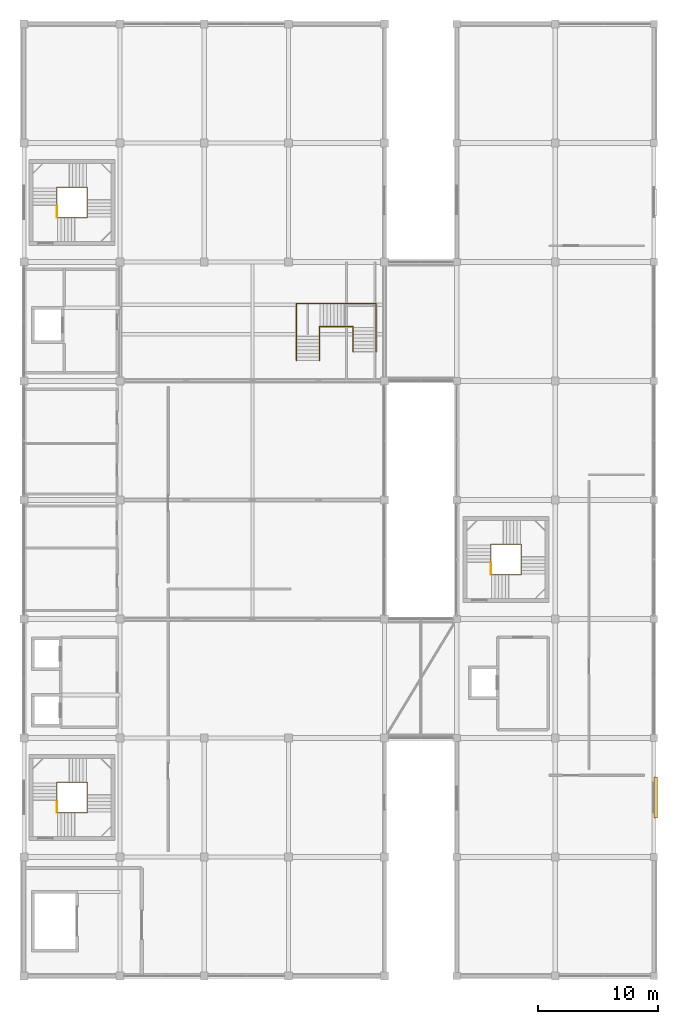
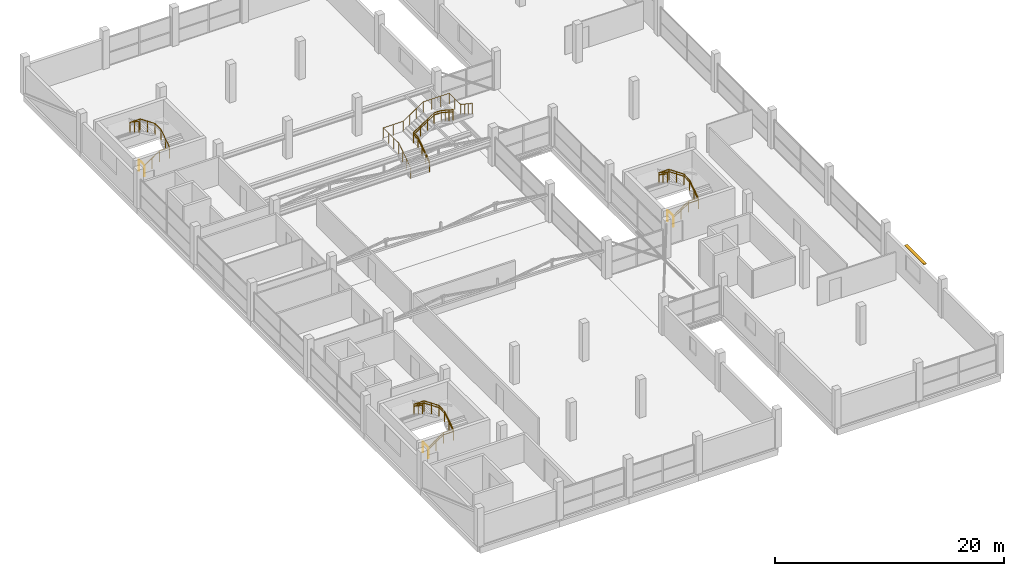
# One storey, part 69 of 70: 11 railings, 1 shading device.
"""IFC4 building model written with IfcOpenShell, lengths in metres."""

from ifc_helpers import new_model, si_unit, direction, frame, origin, origin_2d, place, context, subcontext, project, spatial, rectangle, circle, extrude, material, type_object, element, save


model = new_model("IFC4")

# Units and contexts
model_context = context("Model", 3, precision=1e-05, world=origin(), true_north=direction((0.0, 1.0)))
body_context = subcontext(model_context, "Body", "Model", "MODEL_VIEW")
ifc_project = project(units=[si_unit("LENGTHUNIT", "METRE"), si_unit("AREAUNIT", "SQUARE_METRE"), si_unit("VOLUMEUNIT", "CUBIC_METRE"), si_unit("PLANEANGLEUNIT", "RADIAN"), si_unit("MASSUNIT", "GRAM", prefix="KILO")], contexts=[model_context])

# Site, building, storey
site_placement = place(None, origin())
site = spatial("IfcSite", under=ifc_project, at=site_placement, CompositionType="ELEMENT")
building_placement = place(site_placement, origin())
building = spatial("IfcBuilding", under=site, at=building_placement, Name="Sillaruma Civic Art Gallery", CompositionType="ELEMENT")
storey_placement = place(building_placement, frame((0.0, 0.0, 66.300048828125)))
storey = spatial("IfcBuildingStorey", under=building, at=storey_placement, Name="L13", CompositionType="ELEMENT", Elevation=66.300048828125)

# Railings
ifc_material_1 = material(Name="Stainless Steel AISI 316", Category="steel")
railing_type_1 = type_object("IfcRailingType", Name="RAL-BAL-1150", PredefinedType="BALUSTRADE", material=ifc_material_1)
railing_1_placement = place(storey_placement, frame((64.739990234375, 82.889892578125, 0.0)))
element("IfcRailing", 1, at=railing_1_placement, inside=storey, type_object=railing_type_1, Name="Stair Floor Edge Guard (ST-02:L13)", PredefinedType="BALUSTRADE", context=body_context, shape_type="SweptSolid", body=[
    extrude(circle(Radius=0.02392578125, at=origin_2d()), frame((0.0, 0.0, 1.1259765625), z_axis=(0.0, 1.0, 0.0), x_axis=(-1.0, 0.0, 0.0)), (0.0, 0.0, 1.0), 0.97021484375),
    extrude(circle(Radius=0.02099609375, at=origin_2d()), origin(), (0.0, 0.0, 1.0), 1.101806640625),
    extrude(circle(Radius=0.02099609375, at=origin_2d()), frame((0.0, 0.97021484375, 0.0)), (0.0, 0.0, 1.0), 1.101806640625),
])
railing_2_placement = place(storey_placement, frame((64.739990234375, 82.889892578125, 0.0)))
element("IfcRailing", 2, at=railing_2_placement, inside=storey, type_object=railing_type_1, Name="Stair Well Balustrade (ST-02-L13)", PredefinedType="BALUSTRADE", context=body_context, shape_type="SweptSolid", body=[
    extrude(circle(Radius=0.02392578125, at=origin_2d()), frame((0.0, 0.0, 1.1259765625), z_axis=(0.828654473869, 0.0, 0.559760451387), x_axis=(0.0, 1.0, 0.0)), (0.0, 0.0, 1.0), 1.822265625),
    extrude(circle(Radius=0.02392578125, at=origin_2d()), frame((1.510009765625, 0.0, 2.14599609375), z_axis=(1.0, 0.0, 0.0), x_axis=(0.0, 1.0, 0.0)), (0.0, 0.0, 1.0), 1.010009765625),
    extrude(circle(Radius=0.02392578125, at=origin_2d()), frame((2.52001953125, 0.0, 2.14599609375), z_axis=(0.0, 0.828654473869, 0.559760451387), x_axis=(-1.0, 0.0, 0.0)), (0.0, 0.0, 1.0), 1.822265625),
    extrude(circle(Radius=0.02392578125, at=origin_2d()), frame((2.52001953125, 1.510009765625, 3.166015625), z_axis=(0.0, 1.0, 0.0), x_axis=(-1.0, 0.0, 0.0)), (0.0, 0.0, 1.0), 1.010009765625),
    extrude(circle(Radius=0.02392578125, at=origin_2d()), frame((2.52001953125, 2.52001953125, 3.166015625), z_axis=(-0.828654473869, 0.0, 0.559760451387), x_axis=(0.0, -1.0, 0.0)), (0.0, 0.0, 1.0), 1.822265625),
    extrude(circle(Radius=0.02392578125, at=origin_2d()), frame((1.010009765625, 2.52001953125, 4.18603515625), z_axis=(-1.0, 0.0, 0.0), x_axis=(0.0, -1.0, 0.0)), (0.0, 0.0, 1.0), 1.010009765625),
    extrude(circle(Radius=0.02392578125, at=origin_2d()), frame((0.0, 2.52001953125, 4.18603515625), z_axis=(0.0, -0.828716618891, 0.559668442539), x_axis=(1.0, 0.0, 0.0)), (0.0, 0.0, 1.0), 1.822021484375),
    extrude(circle(Radius=0.02099609375, at=origin_2d()), origin(), (0.0, 0.0, 1.0), 1.101806640625),
    extrude(circle(Radius=0.02099609375, at=origin_2d()), frame((0.7548828125, 0.0, 0.510009765625)), (0.0, 0.0, 1.0), 1.101806640625),
    extrude(circle(Radius=0.02099609375, at=origin_2d()), frame((1.510009765625, 0.0, 1.02001953125)), (0.0, 0.0, 1.0), 1.101806640625),
    extrude(circle(Radius=0.02099609375, at=origin_2d()), frame((2.52001953125, 0.0, 1.02001953125)), (0.0, 0.0, 1.0), 1.101806640625),
    extrude(circle(Radius=0.02099609375, at=origin_2d()), frame((2.52001953125, 0.7548828125, 1.530029296875)), (0.0, 0.0, 1.0), 1.101806640625),
    extrude(circle(Radius=0.02099609375, at=origin_2d()), frame((2.52001953125, 1.510009765625, 2.0400390625)), (0.0, 0.0, 1.0), 1.101806640625),
    extrude(circle(Radius=0.02099609375, at=origin_2d()), frame((2.52001953125, 2.52001953125, 2.0400390625)), (0.0, 0.0, 1.0), 1.101806640625),
    extrude(circle(Radius=0.02099609375, at=origin_2d()), frame((1.76513671875, 2.52001953125, 2.550048828125)), (0.0, 0.0, 1.0), 1.101806640625),
    extrude(circle(Radius=0.02099609375, at=origin_2d()), frame((1.010009765625, 2.52001953125, 3.06005859375)), (0.0, 0.0, 1.0), 1.101806640625),
    extrude(circle(Radius=0.02099609375, at=origin_2d()), frame((0.0, 2.52001953125, 3.06005859375)), (0.0, 0.0, 1.0), 1.101806640625),
    extrude(circle(Radius=0.02099609375, at=origin_2d()), frame((0.0, 1.76513671875, 3.56982421875)), (0.0, 0.0, 1.0), 1.101806640625),
    extrude(circle(Radius=0.02099609375, at=origin_2d()), frame((0.0, 1.010009765625, 4.079833984375)), (0.0, 0.0, 1.0), 1.101806640625),
])
railing_3_placement = place(storey_placement, frame((64.739990234375, 33.389892578125, 0.0)))
element("IfcRailing", 3, at=railing_3_placement, inside=storey, type_object=railing_type_1, Name="Stair Floor Edge Guard (ST-03:L13)", PredefinedType="BALUSTRADE", context=body_context, shape_type="SweptSolid", body=[
    extrude(circle(Radius=0.02392578125, at=origin_2d()), frame((0.0, 0.0, 1.1259765625), z_axis=(0.0, 1.0, 0.0), x_axis=(-1.0, 0.0, 0.0)), (0.0, 0.0, 1.0), 0.97021484375),
    extrude(circle(Radius=0.02099609375, at=origin_2d()), origin(), (0.0, 0.0, 1.0), 1.101806640625),
    extrude(circle(Radius=0.02099609375, at=origin_2d()), frame((0.0, 0.97021484375, 0.0)), (0.0, 0.0, 1.0), 1.101806640625),
])
railing_4_placement = place(storey_placement, frame((64.739990234375, 33.389892578125, 0.0)))
element("IfcRailing", 4, at=railing_4_placement, inside=storey, type_object=railing_type_1, Name="Stair Well Balustrade (ST-03-L13)", PredefinedType="BALUSTRADE", context=body_context, shape_type="SweptSolid", body=[
    extrude(circle(Radius=0.02392578125, at=origin_2d()), frame((0.0, 0.0, 1.1259765625), z_axis=(0.828654473869, 0.0, 0.559760451387), x_axis=(0.0, 1.0, 0.0)), (0.0, 0.0, 1.0), 1.822265625),
    extrude(circle(Radius=0.02392578125, at=origin_2d()), frame((1.510009765625, 0.0, 2.14599609375), z_axis=(1.0, 0.0, 0.0), x_axis=(0.0, 1.0, 0.0)), (0.0, 0.0, 1.0), 1.010009765625),
    extrude(circle(Radius=0.02392578125, at=origin_2d()), frame((2.52001953125, 0.0, 2.14599609375), z_axis=(0.0, 0.828654473869, 0.559760451387), x_axis=(-1.0, 0.0, 0.0)), (0.0, 0.0, 1.0), 1.822265625),
    extrude(circle(Radius=0.02392578125, at=origin_2d()), frame((2.52001953125, 1.510009765625, 3.166015625), z_axis=(0.0, 1.0, 0.0), x_axis=(-1.0, 0.0, 0.0)), (0.0, 0.0, 1.0), 1.010009765625),
    extrude(circle(Radius=0.02392578125, at=origin_2d()), frame((2.52001953125, 2.52001953125, 3.166015625), z_axis=(-0.828654473869, 0.0, 0.559760451387), x_axis=(0.0, -1.0, 0.0)), (0.0, 0.0, 1.0), 1.822265625),
    extrude(circle(Radius=0.02392578125, at=origin_2d()), frame((1.010009765625, 2.52001953125, 4.18603515625), z_axis=(-1.0, 0.0, 0.0), x_axis=(0.0, -1.0, 0.0)), (0.0, 0.0, 1.0), 1.010009765625),
    extrude(circle(Radius=0.02392578125, at=origin_2d()), frame((0.0, 2.52001953125, 4.18603515625), z_axis=(0.0, -0.828716618891, 0.559668442539), x_axis=(1.0, 0.0, 0.0)), (0.0, 0.0, 1.0), 1.822021484375),
    extrude(circle(Radius=0.02099609375, at=origin_2d()), origin(), (0.0, 0.0, 1.0), 1.101806640625),
    extrude(circle(Radius=0.02099609375, at=origin_2d()), frame((0.7548828125, 0.0, 0.510009765625)), (0.0, 0.0, 1.0), 1.101806640625),
    extrude(circle(Radius=0.02099609375, at=origin_2d()), frame((1.510009765625, 0.0, 1.02001953125)), (0.0, 0.0, 1.0), 1.101806640625),
    extrude(circle(Radius=0.02099609375, at=origin_2d()), frame((2.52001953125, 0.0, 1.02001953125)), (0.0, 0.0, 1.0), 1.101806640625),
    extrude(circle(Radius=0.02099609375, at=origin_2d()), frame((2.52001953125, 0.7548828125, 1.530029296875)), (0.0, 0.0, 1.0), 1.101806640625),
    extrude(circle(Radius=0.02099609375, at=origin_2d()), frame((2.52001953125, 1.510009765625, 2.0400390625)), (0.0, 0.0, 1.0), 1.101806640625),
    extrude(circle(Radius=0.02099609375, at=origin_2d()), frame((2.52001953125, 2.52001953125, 2.0400390625)), (0.0, 0.0, 1.0), 1.101806640625),
    extrude(circle(Radius=0.02099609375, at=origin_2d()), frame((1.76513671875, 2.52001953125, 2.550048828125)), (0.0, 0.0, 1.0), 1.101806640625),
    extrude(circle(Radius=0.02099609375, at=origin_2d()), frame((1.010009765625, 2.52001953125, 3.06005859375)), (0.0, 0.0, 1.0), 1.101806640625),
    extrude(circle(Radius=0.02099609375, at=origin_2d()), frame((0.0, 2.52001953125, 3.06005859375)), (0.0, 0.0, 1.0), 1.101806640625),
    extrude(circle(Radius=0.02099609375, at=origin_2d()), frame((0.0, 1.76513671875, 3.56982421875)), (0.0, 0.0, 1.0), 1.101806640625),
    extrude(circle(Radius=0.02099609375, at=origin_2d()), frame((0.0, 1.010009765625, 4.079833984375)), (0.0, 0.0, 1.0), 1.101806640625),
])
railing_5_placement = place(storey_placement, frame((100.840087890625, 53.18994140625, 0.0)))
element("IfcRailing", 5, at=railing_5_placement, inside=storey, type_object=railing_type_1, Name="Stair Floor Edge Guard (ST-04:L13)", PredefinedType="BALUSTRADE", context=body_context, shape_type="SweptSolid", body=[
    extrude(circle(Radius=0.02392578125, at=origin_2d()), frame((0.0, 0.0, 1.1259765625), z_axis=(0.0, 1.0, 0.0), x_axis=(-1.0, 0.0, 0.0)), (0.0, 0.0, 1.0), 0.969970703125),
    extrude(circle(Radius=0.02099609375, at=origin_2d()), origin(), (0.0, 0.0, 1.0), 1.101806640625),
    extrude(circle(Radius=0.02099609375, at=origin_2d()), frame((0.0, 0.969970703125, 0.0)), (0.0, 0.0, 1.0), 1.101806640625),
])
railing_6_placement = place(storey_placement, frame((100.840087890625, 53.18994140625, 0.0)))
element("IfcRailing", 6, at=railing_6_placement, inside=storey, type_object=railing_type_1, Name="Stair Well Balustrade (ST-04-L13)", PredefinedType="BALUSTRADE", context=body_context, shape_type="SweptSolid", body=[
    extrude(circle(Radius=0.02392578125, at=origin_2d()), frame((0.0, 0.0, 1.1259765625), z_axis=(0.828654473869, 0.0, 0.559760451387), x_axis=(0.0, 1.0, 0.0)), (0.0, 0.0, 1.0), 1.822265625),
    extrude(circle(Radius=0.02392578125, at=origin_2d()), frame((1.510009765625, 0.0, 2.14599609375), z_axis=(1.0, 0.0, 0.0), x_axis=(0.0, 1.0, 0.0)), (0.0, 0.0, 1.0), 1.010009765625),
    extrude(circle(Radius=0.02392578125, at=origin_2d()), frame((2.52001953125, 0.0, 2.14599609375), z_axis=(0.0, 0.828654473869, 0.559760451387), x_axis=(-1.0, 0.0, 0.0)), (0.0, 0.0, 1.0), 1.822265625),
    extrude(circle(Radius=0.02392578125, at=origin_2d()), frame((2.52001953125, 1.510009765625, 3.166015625), z_axis=(0.0, 1.0, 0.0), x_axis=(-1.0, 0.0, 0.0)), (0.0, 0.0, 1.0), 1.010009765625),
    extrude(circle(Radius=0.02392578125, at=origin_2d()), frame((2.52001953125, 2.52001953125, 3.166015625), z_axis=(-0.828654473869, 0.0, 0.559760451387), x_axis=(0.0, -1.0, 0.0)), (0.0, 0.0, 1.0), 1.822265625),
    extrude(circle(Radius=0.02392578125, at=origin_2d()), frame((1.010009765625, 2.52001953125, 4.18603515625), z_axis=(-1.0, 0.0, 0.0), x_axis=(0.0, -1.0, 0.0)), (0.0, 0.0, 1.0), 1.010009765625),
    extrude(circle(Radius=0.02392578125, at=origin_2d()), frame((0.0, 2.52001953125, 4.18603515625), z_axis=(0.0, -0.828716618891, 0.559668442539), x_axis=(1.0, 0.0, 0.0)), (0.0, 0.0, 1.0), 1.822021484375),
    extrude(circle(Radius=0.02099609375, at=origin_2d()), origin(), (0.0, 0.0, 1.0), 1.101806640625),
    extrude(circle(Radius=0.02099609375, at=origin_2d()), frame((0.7548828125, 0.0, 0.510009765625)), (0.0, 0.0, 1.0), 1.101806640625),
    extrude(circle(Radius=0.02099609375, at=origin_2d()), frame((1.510009765625, 0.0, 1.02001953125)), (0.0, 0.0, 1.0), 1.101806640625),
    extrude(circle(Radius=0.02099609375, at=origin_2d()), frame((2.52001953125, 0.0, 1.02001953125)), (0.0, 0.0, 1.0), 1.101806640625),
    extrude(circle(Radius=0.02099609375, at=origin_2d()), frame((2.52001953125, 0.7548828125, 1.530029296875)), (0.0, 0.0, 1.0), 1.101806640625),
    extrude(circle(Radius=0.02099609375, at=origin_2d()), frame((2.52001953125, 1.510009765625, 2.0400390625)), (0.0, 0.0, 1.0), 1.101806640625),
    extrude(circle(Radius=0.02099609375, at=origin_2d()), frame((2.52001953125, 2.52001953125, 2.0400390625)), (0.0, 0.0, 1.0), 1.101806640625),
    extrude(circle(Radius=0.02099609375, at=origin_2d()), frame((1.76513671875, 2.52001953125, 2.550048828125)), (0.0, 0.0, 1.0), 1.101806640625),
    extrude(circle(Radius=0.02099609375, at=origin_2d()), frame((1.010009765625, 2.52001953125, 3.06005859375)), (0.0, 0.0, 1.0), 1.101806640625),
    extrude(circle(Radius=0.02099609375, at=origin_2d()), frame((0.0, 2.52001953125, 3.06005859375)), (0.0, 0.0, 1.0), 1.101806640625),
    extrude(circle(Radius=0.02099609375, at=origin_2d()), frame((0.0, 1.76513671875, 3.56982421875)), (0.0, 0.0, 1.0), 1.101806640625),
    extrude(circle(Radius=0.02099609375, at=origin_2d()), frame((0.0, 1.010009765625, 4.079833984375)), (0.0, 0.0, 1.0), 1.101806640625),
])
railing_7_placement = place(storey_placement, frame((86.580078125, 71.0, 0.0)))
element("IfcRailing", 7, at=railing_7_placement, inside=storey, type_object=railing_type_1, Name="Feature Stair Inner Guard (ST-G08)", PredefinedType="BALUSTRADE", context=body_context, shape_type="SweptSolid", body=[
    extrude(circle(Radius=0.02392578125, at=origin_2d()), frame((0.0, 0.0, 1.1259765625), z_axis=(0.0, 0.830818489095, 0.556543473753), x_axis=(-1.0, 0.0, 0.0)), (0.0, 0.0, 1.0), 2.443359375),
    extrude(circle(Radius=0.02392578125, at=origin_2d()), frame((0.0, 2.030029296875, 2.48583984375), z_axis=(0.0, 1.0, 0.0), x_axis=(-1.0, 0.0, 0.0)), (0.0, 0.0, 1.0), 0.7900390625),
    extrude(circle(Radius=0.02392578125, at=origin_2d()), frame((0.0, 2.820068359375, 2.48583984375), z_axis=(0.838130295786, 0.0, 0.545470079185), x_axis=(0.0, 1.0, 0.0)), (0.0, 0.0, 1.0), 2.493408203125),
    extrude(circle(Radius=0.02392578125, at=origin_2d()), frame((2.08984375, 2.820068359375, 3.845703125), z_axis=(1.0, 0.0, 0.0), x_axis=(0.0, 1.0, 0.0)), (0.0, 0.0, 1.0), 0.7099609375),
    extrude(circle(Radius=0.02392578125, at=origin_2d()), frame((2.7998046875, 2.820068359375, 3.845703125), z_axis=(0.0, -0.838204181713, 0.545356534534), x_axis=(1.0, 0.0, 0.0)), (0.0, 0.0, 1.0), 2.49365234375),
    extrude(circle(Radius=0.02099609375, at=origin_2d()), origin(), (0.0, 0.0, 1.0), 1.101806640625),
    extrude(circle(Radius=0.02099609375, at=origin_2d()), frame((0.0, 0.6767578125, 0.453369140625)), (0.0, 0.0, 1.0), 1.101806640625),
    extrude(circle(Radius=0.02099609375, at=origin_2d()), frame((0.0, 1.353271484375, 0.906494140625)), (0.0, 0.0, 1.0), 1.101806640625),
    extrude(circle(Radius=0.02099609375, at=origin_2d()), frame((0.0, 2.030029296875, 1.35986328125)), (0.0, 0.0, 1.0), 1.101806640625),
    extrude(circle(Radius=0.02099609375, at=origin_2d()), frame((0.0, 2.820068359375, 1.35986328125)), (0.0, 0.0, 1.0), 1.101806640625),
    extrude(circle(Radius=0.02099609375, at=origin_2d()), frame((0.696533203125, 2.820068359375, 1.813232421875)), (0.0, 0.0, 1.0), 1.101806640625),
    extrude(circle(Radius=0.02099609375, at=origin_2d()), frame((1.393310546875, 2.820068359375, 2.2666015625)), (0.0, 0.0, 1.0), 1.101806640625),
    extrude(circle(Radius=0.02099609375, at=origin_2d()), frame((2.08984375, 2.820068359375, 2.719970703125)), (0.0, 0.0, 1.0), 1.101806640625),
    extrude(circle(Radius=0.02099609375, at=origin_2d()), frame((2.7998046875, 2.820068359375, 2.719970703125)), (0.0, 0.0, 1.0), 1.101806640625),
    extrude(circle(Radius=0.02099609375, at=origin_2d()), frame((2.7998046875, 2.123291015625, 3.17333984375)), (0.0, 0.0, 1.0), 1.101806640625),
    extrude(circle(Radius=0.02099609375, at=origin_2d()), frame((2.7998046875, 1.4267578125, 3.62646484375)), (0.0, 0.0, 1.0), 1.101806640625),
    extrude(circle(Radius=0.02099609375, at=origin_2d()), frame((2.7998046875, 0.72998046875, 4.079833984375)), (0.0, 0.0, 1.0), 1.101806640625),
])
railing_8_placement = place(storey_placement, frame((84.659912109375, 71.0, 0.0)))
element("IfcRailing", 8, at=railing_8_placement, inside=storey, type_object=railing_type_1, Name="Feature Stair Outer Guard (ST-G08)", PredefinedType="BALUSTRADE", context=body_context, shape_type="SweptSolid", body=[
    extrude(circle(Radius=0.02392578125, at=origin_2d()), frame((0.0, 0.0, 1.1259765625), z_axis=(0.0, 0.830818489095, 0.556543473753), x_axis=(-1.0, 0.0, 0.0)), (0.0, 0.0, 1.0), 2.443359375),
    extrude(circle(Radius=0.02392578125, at=origin_2d()), frame((0.0, 2.030029296875, 2.48583984375), z_axis=(0.0, 1.0, 0.0), x_axis=(-1.0, 0.0, 0.0)), (0.0, 0.0, 1.0), 2.7099609375),
    extrude(circle(Radius=0.02392578125, at=origin_2d()), frame((0.0, 4.739990234375, 2.48583984375), z_axis=(1.0, 0.0, 0.0), x_axis=(0.0, 1.0, 0.0)), (0.0, 0.0, 1.0), 1.97998046875),
    extrude(circle(Radius=0.02392578125, at=origin_2d()), frame((1.97998046875, 4.739990234375, 2.48583984375), z_axis=(0.830772288039, 0.0, 0.556612437362), x_axis=(0.0, 1.0, 0.0)), (0.0, 0.0, 1.0), 2.443603515625),
    extrude(circle(Radius=0.02392578125, at=origin_2d()), frame((4.010009765625, 4.739990234375, 3.845703125), z_axis=(1.0, 0.0, 0.0), x_axis=(0.0, 1.0, 0.0)), (0.0, 0.0, 1.0), 2.630126953125),
    extrude(circle(Radius=0.02392578125, at=origin_2d()), frame((6.64013671875, 4.739990234375, 3.845703125), z_axis=(0.0, -1.0, 0.0), x_axis=(1.0, 0.0, 0.0)), (0.0, 0.0, 1.0), 1.97998046875),
    extrude(circle(Radius=0.02392578125, at=origin_2d()), frame((6.64013671875, 2.760009765625, 3.845703125), z_axis=(0.0, -0.830818489095, 0.556543473753), x_axis=(1.0, 0.0, 0.0)), (0.0, 0.0, 1.0), 2.443359375),
    extrude(circle(Radius=0.02099609375, at=origin_2d()), origin(), (0.0, 0.0, 1.0), 1.101806640625),
    extrude(circle(Radius=0.02099609375, at=origin_2d()), frame((0.0, 0.6767578125, 0.453369140625)), (0.0, 0.0, 1.0), 1.101806640625),
    extrude(circle(Radius=0.02099609375, at=origin_2d()), frame((0.0, 1.353271484375, 0.906494140625)), (0.0, 0.0, 1.0), 1.101806640625),
    extrude(circle(Radius=0.02099609375, at=origin_2d()), frame((0.0, 2.030029296875, 1.35986328125)), (0.0, 0.0, 1.0), 1.101806640625),
    extrude(circle(Radius=0.02099609375, at=origin_2d()), frame((0.0, 2.933349609375, 1.35986328125)), (0.0, 0.0, 1.0), 1.101806640625),
    extrude(circle(Radius=0.02099609375, at=origin_2d()), frame((0.0, 3.836669921875, 1.35986328125)), (0.0, 0.0, 1.0), 1.101806640625),
    extrude(circle(Radius=0.02099609375, at=origin_2d()), frame((0.0, 4.739990234375, 1.35986328125)), (0.0, 0.0, 1.0), 1.101806640625),
    extrude(circle(Radius=0.02099609375, at=origin_2d()), frame((0.989990234375, 4.739990234375, 1.35986328125)), (0.0, 0.0, 1.0), 1.101806640625),
    extrude(circle(Radius=0.02099609375, at=origin_2d()), frame((1.97998046875, 4.739990234375, 1.35986328125)), (0.0, 0.0, 1.0), 1.101806640625),
    extrude(circle(Radius=0.02099609375, at=origin_2d()), frame((2.65673828125, 4.739990234375, 1.813232421875)), (0.0, 0.0, 1.0), 1.101806640625),
    extrude(circle(Radius=0.02099609375, at=origin_2d()), frame((3.333251953125, 4.739990234375, 2.2666015625)), (0.0, 0.0, 1.0), 1.101806640625),
    extrude(circle(Radius=0.02099609375, at=origin_2d()), frame((4.010009765625, 4.739990234375, 2.719970703125)), (0.0, 0.0, 1.0), 1.101806640625),
    extrude(circle(Radius=0.02099609375, at=origin_2d()), frame((4.88671875, 4.739990234375, 2.719970703125)), (0.0, 0.0, 1.0), 1.101806640625),
    extrude(circle(Radius=0.02099609375, at=origin_2d()), frame((5.763427734375, 4.739990234375, 2.719970703125)), (0.0, 0.0, 1.0), 1.101806640625),
    extrude(circle(Radius=0.02099609375, at=origin_2d()), frame((6.64013671875, 4.739990234375, 2.719970703125)), (0.0, 0.0, 1.0), 1.101806640625),
    extrude(circle(Radius=0.02099609375, at=origin_2d()), frame((6.64013671875, 3.75, 2.719970703125)), (0.0, 0.0, 1.0), 1.101806640625),
    extrude(circle(Radius=0.02099609375, at=origin_2d()), frame((6.64013671875, 2.760009765625, 2.719970703125)), (0.0, 0.0, 1.0), 1.101806640625),
    extrude(circle(Radius=0.02099609375, at=origin_2d()), frame((6.64013671875, 2.083251953125, 3.17333984375)), (0.0, 0.0, 1.0), 1.101806640625),
    extrude(circle(Radius=0.02099609375, at=origin_2d()), frame((6.64013671875, 1.40673828125, 3.62646484375)), (0.0, 0.0, 1.0), 1.101806640625),
    extrude(circle(Radius=0.02099609375, at=origin_2d()), frame((6.64013671875, 0.72998046875, 4.079833984375)), (0.0, 0.0, 1.0), 1.101806640625),
])
railing_type_2 = type_object("IfcRailingType", Name="RAL-HND-920", PredefinedType="HANDRAIL", material=ifc_material_1)
railing_9_placement = place(storey_placement, frame((64.739990234375, 33.389892578125, 0.0)))
element("IfcRailing", 9, at=railing_9_placement, inside=storey, type_object=railing_type_2, Name="Stair Continuous Handrail (ST-03-L13)", PredefinedType="HANDRAIL", context=body_context, shape_type="SweptSolid", body=[
    extrude(circle(Radius=0.02392578125, at=origin_2d()), frame((0.0, 0.0, 0.89599609375), z_axis=(0.828654473869, 0.0, 0.559760451387), x_axis=(0.0, 1.0, 0.0)), (0.0, 0.0, 1.0), 1.822265625),
    extrude(circle(Radius=0.02392578125, at=origin_2d()), frame((1.510009765625, 0.0, 1.916015625), z_axis=(1.0, 0.0, 0.0), x_axis=(0.0, 1.0, 0.0)), (0.0, 0.0, 1.0), 1.010009765625),
    extrude(circle(Radius=0.02392578125, at=origin_2d()), frame((2.52001953125, 0.0, 1.916015625), z_axis=(0.0, 0.828654473869, 0.559760451387), x_axis=(-1.0, 0.0, 0.0)), (0.0, 0.0, 1.0), 1.822265625),
    extrude(circle(Radius=0.02392578125, at=origin_2d()), frame((2.52001953125, 1.510009765625, 2.93603515625), z_axis=(0.0, 1.0, 0.0), x_axis=(-1.0, 0.0, 0.0)), (0.0, 0.0, 1.0), 1.010009765625),
    extrude(circle(Radius=0.02392578125, at=origin_2d()), frame((2.52001953125, 2.52001953125, 2.93603515625), z_axis=(-0.828654473869, 0.0, 0.559760451387), x_axis=(0.0, -1.0, 0.0)), (0.0, 0.0, 1.0), 1.822265625),
    extrude(circle(Radius=0.02392578125, at=origin_2d()), frame((1.010009765625, 2.52001953125, 3.9560546875), z_axis=(-1.0, 0.0, 0.0), x_axis=(0.0, -1.0, 0.0)), (0.0, 0.0, 1.0), 1.010009765625),
    extrude(circle(Radius=0.02392578125, at=origin_2d()), frame((0.0, 2.52001953125, 3.9560546875), z_axis=(0.0, -0.828716618891, 0.559668442539), x_axis=(1.0, 0.0, 0.0)), (0.0, 0.0, 1.0), 1.822021484375),
    extrude(circle(Radius=0.02099609375, at=origin_2d()), origin(), (0.0, 0.0, 1.0), 0.871826171875),
    extrude(circle(Radius=0.02099609375, at=origin_2d()), frame((0.7548828125, 0.0, 0.510009765625)), (0.0, 0.0, 1.0), 0.871826171875),
    extrude(circle(Radius=0.02099609375, at=origin_2d()), frame((1.510009765625, 0.0, 1.02001953125)), (0.0, 0.0, 1.0), 0.871826171875),
    extrude(circle(Radius=0.02099609375, at=origin_2d()), frame((2.52001953125, 0.0, 1.02001953125)), (0.0, 0.0, 1.0), 0.871826171875),
    extrude(circle(Radius=0.02099609375, at=origin_2d()), frame((2.52001953125, 0.7548828125, 1.530029296875)), (0.0, 0.0, 1.0), 0.871826171875),
    extrude(circle(Radius=0.02099609375, at=origin_2d()), frame((2.52001953125, 1.510009765625, 2.0400390625)), (0.0, 0.0, 1.0), 0.871826171875),
    extrude(circle(Radius=0.02099609375, at=origin_2d()), frame((2.52001953125, 2.52001953125, 2.0400390625)), (0.0, 0.0, 1.0), 0.871826171875),
    extrude(circle(Radius=0.02099609375, at=origin_2d()), frame((1.76513671875, 2.52001953125, 2.550048828125)), (0.0, 0.0, 1.0), 0.871826171875),
    extrude(circle(Radius=0.02099609375, at=origin_2d()), frame((1.010009765625, 2.52001953125, 3.06005859375)), (0.0, 0.0, 1.0), 0.871826171875),
    extrude(circle(Radius=0.02099609375, at=origin_2d()), frame((0.0, 2.52001953125, 3.06005859375)), (0.0, 0.0, 1.0), 0.871826171875),
    extrude(circle(Radius=0.02099609375, at=origin_2d()), frame((0.0, 1.76513671875, 3.56982421875)), (0.0, 0.0, 1.0), 0.871826171875),
    extrude(circle(Radius=0.02099609375, at=origin_2d()), frame((0.0, 1.010009765625, 4.079833984375)), (0.0, 0.0, 1.0), 0.871826171875),
])
railing_10_placement = place(storey_placement, frame((100.840087890625, 53.18994140625, 0.0)))
element("IfcRailing", 10, at=railing_10_placement, inside=storey, type_object=railing_type_2, Name="Stair Continuous Handrail (ST-04-L13)", PredefinedType="HANDRAIL", context=body_context, shape_type="SweptSolid", body=[
    extrude(circle(Radius=0.02392578125, at=origin_2d()), frame((0.0, 0.0, 0.89599609375), z_axis=(0.828654473869, 0.0, 0.559760451387), x_axis=(0.0, 1.0, 0.0)), (0.0, 0.0, 1.0), 1.822265625),
    extrude(circle(Radius=0.02392578125, at=origin_2d()), frame((1.510009765625, 0.0, 1.916015625), z_axis=(1.0, 0.0, 0.0), x_axis=(0.0, 1.0, 0.0)), (0.0, 0.0, 1.0), 1.010009765625),
    extrude(circle(Radius=0.02392578125, at=origin_2d()), frame((2.52001953125, 0.0, 1.916015625), z_axis=(0.0, 0.828654473869, 0.559760451387), x_axis=(-1.0, 0.0, 0.0)), (0.0, 0.0, 1.0), 1.822265625),
    extrude(circle(Radius=0.02392578125, at=origin_2d()), frame((2.52001953125, 1.510009765625, 2.93603515625), z_axis=(0.0, 1.0, 0.0), x_axis=(-1.0, 0.0, 0.0)), (0.0, 0.0, 1.0), 1.010009765625),
    extrude(circle(Radius=0.02392578125, at=origin_2d()), frame((2.52001953125, 2.52001953125, 2.93603515625), z_axis=(-0.828654473869, 0.0, 0.559760451387), x_axis=(0.0, -1.0, 0.0)), (0.0, 0.0, 1.0), 1.822265625),
    extrude(circle(Radius=0.02392578125, at=origin_2d()), frame((1.010009765625, 2.52001953125, 3.9560546875), z_axis=(-1.0, 0.0, 0.0), x_axis=(0.0, -1.0, 0.0)), (0.0, 0.0, 1.0), 1.010009765625),
    extrude(circle(Radius=0.02392578125, at=origin_2d()), frame((0.0, 2.52001953125, 3.9560546875), z_axis=(0.0, -0.828716618891, 0.559668442539), x_axis=(1.0, 0.0, 0.0)), (0.0, 0.0, 1.0), 1.822021484375),
    extrude(circle(Radius=0.02099609375, at=origin_2d()), origin(), (0.0, 0.0, 1.0), 0.871826171875),
    extrude(circle(Radius=0.02099609375, at=origin_2d()), frame((0.7548828125, 0.0, 0.510009765625)), (0.0, 0.0, 1.0), 0.871826171875),
    extrude(circle(Radius=0.02099609375, at=origin_2d()), frame((1.510009765625, 0.0, 1.02001953125)), (0.0, 0.0, 1.0), 0.871826171875),
    extrude(circle(Radius=0.02099609375, at=origin_2d()), frame((2.52001953125, 0.0, 1.02001953125)), (0.0, 0.0, 1.0), 0.871826171875),
    extrude(circle(Radius=0.02099609375, at=origin_2d()), frame((2.52001953125, 0.7548828125, 1.530029296875)), (0.0, 0.0, 1.0), 0.871826171875),
    extrude(circle(Radius=0.02099609375, at=origin_2d()), frame((2.52001953125, 1.510009765625, 2.0400390625)), (0.0, 0.0, 1.0), 0.871826171875),
    extrude(circle(Radius=0.02099609375, at=origin_2d()), frame((2.52001953125, 2.52001953125, 2.0400390625)), (0.0, 0.0, 1.0), 0.871826171875),
    extrude(circle(Radius=0.02099609375, at=origin_2d()), frame((1.76513671875, 2.52001953125, 2.550048828125)), (0.0, 0.0, 1.0), 0.871826171875),
    extrude(circle(Radius=0.02099609375, at=origin_2d()), frame((1.010009765625, 2.52001953125, 3.06005859375)), (0.0, 0.0, 1.0), 0.871826171875),
    extrude(circle(Radius=0.02099609375, at=origin_2d()), frame((0.0, 2.52001953125, 3.06005859375)), (0.0, 0.0, 1.0), 0.871826171875),
    extrude(circle(Radius=0.02099609375, at=origin_2d()), frame((0.0, 1.76513671875, 3.56982421875)), (0.0, 0.0, 1.0), 0.871826171875),
    extrude(circle(Radius=0.02099609375, at=origin_2d()), frame((0.0, 1.010009765625, 4.079833984375)), (0.0, 0.0, 1.0), 0.871826171875),
])
railing_11_placement = place(storey_placement, frame((86.580078125, 71.0, 0.0)))
element("IfcRailing", 11, at=railing_11_placement, inside=storey, type_object=railing_type_2, Name="Feature Stair Handrail (ST-G08)", PredefinedType="HANDRAIL", context=body_context, shape_type="SweptSolid", body=[
    extrude(circle(Radius=0.02392578125, at=origin_2d()), frame((0.0, 0.0, 0.89599609375), z_axis=(0.0, 0.830818489095, 0.556543473753), x_axis=(-1.0, 0.0, 0.0)), (0.0, 0.0, 1.0), 2.443359375),
    extrude(circle(Radius=0.02392578125, at=origin_2d()), frame((0.0, 2.030029296875, 2.255859375), z_axis=(0.0, 1.0, 0.0), x_axis=(-1.0, 0.0, 0.0)), (0.0, 0.0, 1.0), 0.7900390625),
    extrude(circle(Radius=0.02392578125, at=origin_2d()), frame((0.0, 2.820068359375, 2.255859375), z_axis=(0.838130295786, 0.0, 0.545470079185), x_axis=(0.0, 1.0, 0.0)), (0.0, 0.0, 1.0), 2.493408203125),
    extrude(circle(Radius=0.02392578125, at=origin_2d()), frame((2.08984375, 2.820068359375, 3.61572265625), z_axis=(1.0, 0.0, 0.0), x_axis=(0.0, 1.0, 0.0)), (0.0, 0.0, 1.0), 0.7099609375),
    extrude(circle(Radius=0.02392578125, at=origin_2d()), frame((2.7998046875, 2.820068359375, 3.61572265625), z_axis=(0.0, -0.838204181713, 0.545356534534), x_axis=(1.0, 0.0, 0.0)), (0.0, 0.0, 1.0), 2.49365234375),
    extrude(circle(Radius=0.02099609375, at=origin_2d()), origin(), (0.0, 0.0, 1.0), 0.871826171875),
    extrude(circle(Radius=0.02099609375, at=origin_2d()), frame((0.0, 0.6767578125, 0.453369140625)), (0.0, 0.0, 1.0), 0.871826171875),
    extrude(circle(Radius=0.02099609375, at=origin_2d()), frame((0.0, 1.353271484375, 0.906494140625)), (0.0, 0.0, 1.0), 0.871826171875),
    extrude(circle(Radius=0.02099609375, at=origin_2d()), frame((0.0, 2.030029296875, 1.35986328125)), (0.0, 0.0, 1.0), 0.871826171875),
    extrude(circle(Radius=0.02099609375, at=origin_2d()), frame((0.0, 2.820068359375, 1.35986328125)), (0.0, 0.0, 1.0), 0.871826171875),
    extrude(circle(Radius=0.02099609375, at=origin_2d()), frame((0.696533203125, 2.820068359375, 1.813232421875)), (0.0, 0.0, 1.0), 0.871826171875),
    extrude(circle(Radius=0.02099609375, at=origin_2d()), frame((1.393310546875, 2.820068359375, 2.2666015625)), (0.0, 0.0, 1.0), 0.871826171875),
    extrude(circle(Radius=0.02099609375, at=origin_2d()), frame((2.08984375, 2.820068359375, 2.719970703125)), (0.0, 0.0, 1.0), 0.871826171875),
    extrude(circle(Radius=0.02099609375, at=origin_2d()), frame((2.7998046875, 2.820068359375, 2.719970703125)), (0.0, 0.0, 1.0), 0.871826171875),
    extrude(circle(Radius=0.02099609375, at=origin_2d()), frame((2.7998046875, 2.123291015625, 3.17333984375)), (0.0, 0.0, 1.0), 0.871826171875),
    extrude(circle(Radius=0.02099609375, at=origin_2d()), frame((2.7998046875, 1.4267578125, 3.62646484375)), (0.0, 0.0, 1.0), 0.871826171875),
    extrude(circle(Radius=0.02099609375, at=origin_2d()), frame((2.7998046875, 0.72998046875, 4.079833984375)), (0.0, 0.0, 1.0), 0.871826171875),
])

# Shading device
ifc_material_2 = material(Name="Anodised Extruded Aluminium 6063-T6", Category="aluminium")
shading_device_type = type_object("IfcShadingDeviceType", Name="SHD-LOU-01", PredefinedType="USERDEFINED", material=ifc_material_2)
shading_device_placement = place(storey_placement, frame((114.5400390625, 34.64990234375, 3.419921875), z_axis=(0.0, 0.0, 1.0), x_axis=(0.0, 1.0, 0.0)))
element("IfcShadingDevice", 12, at=shading_device_placement, inside=storey, type_object=shading_device_type, Name="Studio Solar Louvre Baffle (L13-2)", ObjectType="LOUVRE", PredefinedType="USERDEFINED", context=body_context, shape_type="SweptSolid", body=[
    extrude(rectangle(XDim=3.39990234375, YDim=0.280029296875, at=origin_2d()), origin(), (0.0, 0.0, 1.0), 0.06005859375),
])

save(model, "model.ifc")
